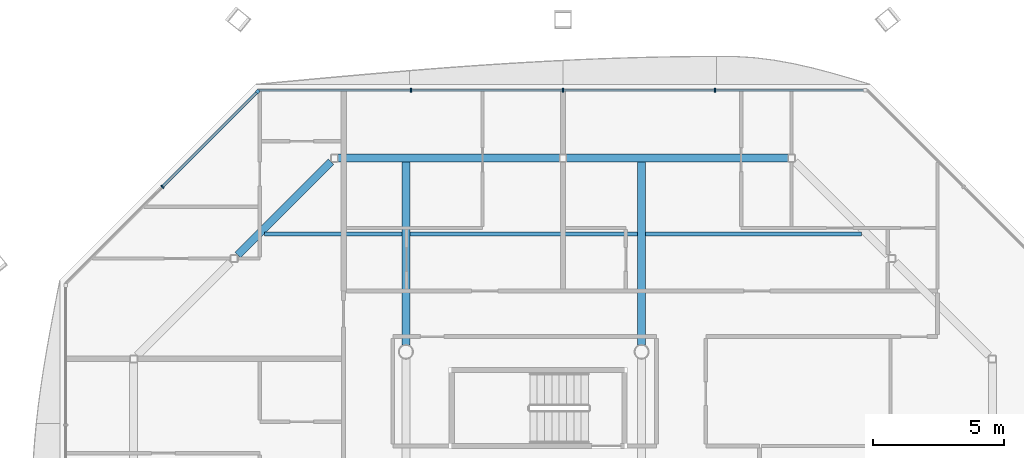
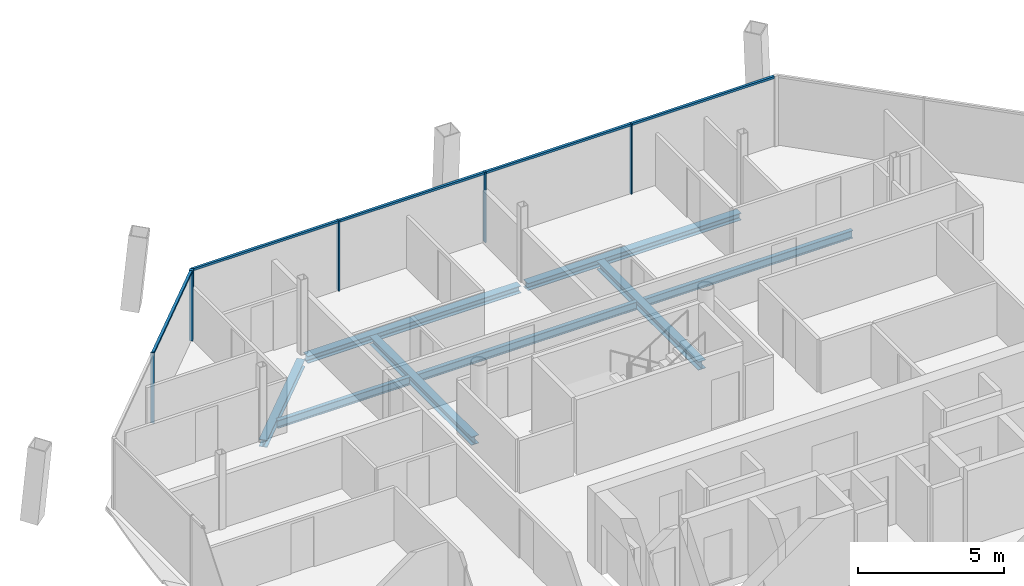
# One storey, part 9 of 18: 10 members, 8 beams, 2 elements without a shape of their own.
"""IFC4 building model written with IfcOpenShell, lengths in metres."""

from ifc_helpers import new_model, si_unit, direction, frame, origin, origin_2d, place, context, subcontext, project, spatial, rectangle, i_section, extrude, material, material_profile, profile_set, type_object, element, aggregate, save


model = new_model("IFC4")

# Units and contexts
model_context = context("Model", 3, precision=1e-05, world=origin(), true_north=direction((0.0, 1.0)))
body_context = subcontext(model_context, "Body", "Model", "MODEL_VIEW")
ifc_project = project(units=[si_unit("LENGTHUNIT", "METRE"), si_unit("AREAUNIT", "SQUARE_METRE"), si_unit("VOLUMEUNIT", "CUBIC_METRE"), si_unit("PLANEANGLEUNIT", "RADIAN"), si_unit("MASSUNIT", "GRAM", prefix="KILO")], contexts=[model_context])

# Site, building, storey
site_placement = place(None, origin())
site = spatial("IfcSite", under=ifc_project, at=site_placement, CompositionType="ELEMENT")
building_placement = place(site_placement, origin())
building = spatial("IfcBuilding", under=site, at=building_placement, Name="Tskaro Facet Tower", CompositionType="ELEMENT")
storey_placement = place(building_placement, frame((0.0, 0.0, 223.5)))
storey = spatial("IfcBuildingStorey", under=building, at=storey_placement, Name="L57", CompositionType="ELEMENT", Elevation=223.5)

# Curtain wall, member
ifc_material_1 = material(Name="Bronze anodised aluminium 6063-T6", Category="aluminium")
curtain_wall_type = type_object("IfcCurtainWallType", Name="Bronze residence curtain wall (FW3)", PredefinedType="NOTDEFINED", material=ifc_material_1)
curtain_wall_1_placement = place(storey_placement, origin())
curtain_wall_1 = element("IfcCurtainWall", 1, at=curtain_wall_1_placement, inside=storey, type_object=curtain_wall_type, Name="FW3 north-west facet L57", PredefinedType="NOTDEFINED")
ifc_material_profile_1 = material_profile(ifc_material_1, rectangle(XDim=0.139892578125, YDim=0.139892578125, at=origin_2d()), Name="Corner post 140x140")
ifc_profile_set_1 = profile_set([ifc_material_profile_1], Name="Bronze anodised aluminium 6063-T6")
member_type_1 = type_object("IfcMemberType", Name="FW3 bronze corner post 140x140", PredefinedType="MULLION", material=ifc_profile_set_1)
member_1_placement = place(storey_placement, frame((-14.658447265625, 18.935546875, 0.0), z_axis=(0.0, 0.0, 1.0), x_axis=(-0.707106781187, -0.707106781187, 0.0)))
member_1 = element("IfcMember", 2, at=member_1_placement, type_object=member_type_1, Name="FW3 north-west corner post", PredefinedType="MULLION", context=body_context, shape_type="SweptSolid", body=[
    extrude(rectangle(XDim=0.139892578125, YDim=0.139892578125, at=origin_2d()), origin(), (0.0, 0.0, 1.0), 2.949951171875),
])

# Curtain wall, members
curtain_wall_2_placement = place(storey_placement, origin())
curtain_wall_2 = element("IfcCurtainWall", 3, at=curtain_wall_2_placement, inside=storey, type_object=curtain_wall_type, Name="FW3 north facet L57", PredefinedType="NOTDEFINED")
ifc_material_profile_2 = material_profile(ifc_material_1, rectangle(XDim=0.050048828125, YDim=0.139892578125, at=origin_2d()), Name="Mullion 50x140")
ifc_profile_set_2 = profile_set([ifc_material_profile_2], Name="Bronze anodised aluminium 6063-T6")
member_type_2 = type_object("IfcMemberType", Name="FW3 bronze mullion 50x140", PredefinedType="MULLION", material=ifc_profile_set_2)
member_2_placement = place(storey_placement, frame((2.804443359375, 18.985107421875, 0.0), z_axis=(0.0, 0.0, 1.0), x_axis=(-1.0, 0.0, 0.0)))
member_2 = element("IfcMember", 4, at=member_2_placement, type_object=member_type_2, Name="FW3 north mullion 1", PredefinedType="MULLION", context=body_context, shape_type="SweptSolid", body=[
    extrude(rectangle(XDim=0.050048828125, YDim=0.139892578125, at=origin_2d()), origin(), (0.0, 0.0, 1.0), 2.949951171875),
])
member_3_placement = place(storey_placement, frame((-3.0, 18.985107421875, 0.0), z_axis=(0.0, 0.0, 1.0), x_axis=(-1.0, 0.0, 0.0)))
member_3 = element("IfcMember", 5, at=member_3_placement, type_object=member_type_2, Name="FW3 north mullion 2", PredefinedType="MULLION", context=body_context, shape_type="SweptSolid", body=[
    extrude(rectangle(XDim=0.050048828125, YDim=0.139892578125, at=origin_2d()), origin(), (0.0, 0.0, 1.0), 2.949951171875),
])
member_4_placement = place(storey_placement, frame((-8.804443359375, 18.985107421875, 0.0), z_axis=(0.0, 0.0, 1.0), x_axis=(-1.0, 0.0, 0.0)))
member_4 = element("IfcMember", 6, at=member_4_placement, type_object=member_type_2, Name="FW3 north mullion 3", PredefinedType="MULLION", context=body_context, shape_type="SweptSolid", body=[
    extrude(rectangle(XDim=0.050048828125, YDim=0.139892578125, at=origin_2d()), origin(), (0.0, 0.0, 1.0), 2.949951171875),
])

# Member
member_5_placement = place(storey_placement, frame((-18.297119140625, 15.297119140625, 0.0), z_axis=(0.0, 0.0, 1.0), x_axis=(-0.707106781187, -0.707106781187, 0.0)))
member_5 = element("IfcMember", 7, at=member_5_placement, type_object=member_type_2, Name="FW3 north-west mullion 1", PredefinedType="MULLION", context=body_context, shape_type="SweptSolid", body=[
    extrude(rectangle(XDim=0.050048828125, YDim=0.139892578125, at=origin_2d()), origin(), (0.0, 0.0, 1.0), 2.949951171875),
])

ifc_material_profile_3 = material_profile(ifc_material_1, rectangle(XDim=0.10009765625, YDim=0.090087890625, at=origin_2d()), Name="Transom 100x90")
ifc_profile_set_3 = profile_set([ifc_material_profile_3], Name="Bronze anodised aluminium 6063-T6")
member_type_3 = type_object("IfcMemberType", Name="FW3 bronze transom 100x90", PredefinedType="USERDEFINED", material=ifc_profile_set_3)
member_6_placement = place(storey_placement, frame((8.468994140625, 18.985107421875, 2.905029296875), z_axis=(-1.0, 0.0, 0.0), x_axis=(0.0, -1.0, 0.0)))
member_6 = element("IfcMember", 8, at=member_6_placement, type_object=member_type_3, Name="FW3 north transom 1.1", ObjectType="TRANSOM", PredefinedType="USERDEFINED", context=body_context, shape_type="SweptSolid", body=[
    extrude(rectangle(XDim=0.10009765625, YDim=0.090087890625, at=origin_2d()), origin(), (0.0, 0.0, 1.0), 5.639404296875),
])

member_7_placement = place(storey_placement, frame((2.779541015625, 18.985107421875, 2.905029296875), z_axis=(-1.0, 0.0, 0.0), x_axis=(0.0, -1.0, 0.0)))
member_7 = element("IfcMember", 9, at=member_7_placement, type_object=member_type_3, Name="FW3 north transom 2.1", ObjectType="TRANSOM", PredefinedType="USERDEFINED", context=body_context, shape_type="SweptSolid", body=[
    extrude(rectangle(XDim=0.10009765625, YDim=0.090087890625, at=origin_2d()), origin(), (0.0, 0.0, 1.0), 5.754638671875),
])

member_8_placement = place(storey_placement, frame((-3.02490234375, 18.985107421875, 2.905029296875), z_axis=(-1.0, 0.0, 0.0), x_axis=(0.0, -1.0, 0.0)))
member_8 = element("IfcMember", 10, at=member_8_placement, type_object=member_type_3, Name="FW3 north transom 3.1", ObjectType="TRANSOM", PredefinedType="USERDEFINED", context=body_context, shape_type="SweptSolid", body=[
    extrude(rectangle(XDim=0.10009765625, YDim=0.090087890625, at=origin_2d()), origin(), (0.0, 0.0, 1.0), 5.754638671875),
])

member_9_placement = place(storey_placement, frame((-8.82958984375, 18.985107421875, 2.905029296875), z_axis=(-1.0, 0.0, 0.0), x_axis=(0.0, -1.0, 0.0)))
member_9 = element("IfcMember", 11, at=member_9_placement, type_object=member_type_3, Name="FW3 north transom 4.1", ObjectType="TRANSOM", PredefinedType="USERDEFINED", context=body_context, shape_type="SweptSolid", body=[
    extrude(rectangle(XDim=0.10009765625, YDim=0.090087890625, at=origin_2d()), origin(), (0.0, 0.0, 1.0), 5.779296875),
])

aggregate(curtain_wall_2, [member_2, member_3, member_4, member_6, member_7, member_8, member_9])

member_10_placement = place(storey_placement, frame((-14.7080078125, 18.885986328125, 2.905029296875), z_axis=(-0.707106781187, -0.707106781187, 0.0), x_axis=(0.707106781187, -0.707106781187, 0.0)))
member_10 = element("IfcMember", 12, at=member_10_placement, type_object=member_type_3, Name="FW3 north-west transom 1.1", ObjectType="TRANSOM", PredefinedType="USERDEFINED", context=body_context, shape_type="SweptSolid", body=[
    extrude(rectangle(XDim=0.10009765625, YDim=0.090087890625, at=origin_2d()), origin(), (0.0, 0.0, 1.0), 5.050537109375),
])

aggregate(curtain_wall_1, [member_1, member_5, member_10])

# Beams
ifc_material_2 = material(Name="Steel S355J2", Category="steel")
ifc_material_profile_4 = material_profile(ifc_material_2, i_section(OverallWidth=0.300048828125, OverallDepth=0.300048828125, WebThickness=0.010986328125, FlangeThickness=0.01904296875, FilletRadius=0.027099609375, at=origin_2d()), Name="HE 300 B")
ifc_profile_set_4 = profile_set([ifc_material_profile_4], Name="Steel S355J2")
beam_type_1 = type_object("IfcBeamType", Name="HE 300 B ring beam", PredefinedType="BEAM", material=ifc_profile_set_4)
for number, where, z_axis, x_axis, name in (
    (13, (5.594970703125, 16.39111328125, -0.2900390625), (-1.0, 0.0, 0.0), (0.0, -1.0, 0.0), "HE 300 B EB10-5"),
    (14, (-3.1298828125, 16.39111328125, -0.2900390625), (-1.0, 0.0, 0.0), (0.0, -1.0, 0.0), "HE 300 B EB11-5"),
):
    element("IfcBeam", number, at=place(storey_placement, frame(where, z_axis=z_axis, x_axis=x_axis)), inside=storey, type_object=beam_type_1, Name=name, PredefinedType="BEAM", context=body_context, shape_type="SweptSolid", body=[
        extrude(i_section(OverallWidth=0.300048828125, OverallDepth=0.300048828125, WebThickness=0.010986328125, FlangeThickness=0.01904296875, FilletRadius=0.027099609375, at=origin_2d()), origin(), (0.0, 0.0, 1.0), 8.465087890625),
    ])
beam_1_placement = place(storey_placement, frame((-11.86083984375, 16.255126953125, -0.2900390625), z_axis=(-0.707106781187, -0.707106781187, 0.0), x_axis=(0.707106781187, -0.707106781187, 0.0)))
element("IfcBeam", 15, at=beam_1_placement, inside=storey, type_object=beam_type_1, Name="HE 300 B EB12-5", PredefinedType="BEAM", context=body_context, shape_type="SweptSolid", body=[
    extrude(i_section(OverallWidth=0.300048828125, OverallDepth=0.300048828125, WebThickness=0.010986328125, FlangeThickness=0.01904296875, FilletRadius=0.027099609375, at=origin_2d()), origin(), (0.0, 0.0, 1.0), 5.036376953125),
])
ifc_material_profile_5 = material_profile(ifc_material_2, i_section(OverallWidth=0.300048828125, OverallDepth=0.35009765625, WebThickness=0.010009765625, FlangeThickness=0.017578125, FilletRadius=0.027099609375, at=origin_2d()), Name="HE 360 A")
ifc_profile_set_5 = profile_set([ifc_material_profile_5], Name="Steel S355J2")
beam_type_2 = type_object("IfcBeamType", Name="HE 360 A girder", PredefinedType="BEAM", material=ifc_profile_set_5)
for number, where, z_axis, x_axis, name in (
    (16, (-9.0, 9.24951171875, -0.31494140625), (0.0, 1.0, 0.0), (-1.0, 0.0, 0.0), "HE 360 A GB3-3-5"),
    (17, (0.0, 9.24951171875, -0.31494140625), (0.0, 1.0, 0.0), (-1.0, 0.0, 0.0), "HE 360 A GB4-3-5"),
):
    element("IfcBeam", number, at=place(storey_placement, frame(where, z_axis=z_axis, x_axis=x_axis)), inside=storey, type_object=beam_type_2, Name=name, PredefinedType="BEAM", context=body_context, shape_type="SweptSolid", body=[
        extrude(i_section(OverallWidth=0.300048828125, OverallDepth=0.35009765625, WebThickness=0.010009765625, FlangeThickness=0.017578125, FilletRadius=0.027099609375, at=origin_2d()), origin(), (0.0, 0.0, 1.0), 6.991455078125),
    ])
ifc_material_profile_6 = material_profile(ifc_material_2, i_section(OverallWidth=0.159912109375, OverallDepth=0.330078125, WebThickness=0.007568359375, FlangeThickness=0.011474609375, FilletRadius=0.01806640625, at=origin_2d()), Name="IPE 330")
ifc_profile_set_6 = profile_set([ifc_material_profile_6], Name="Steel S355J2")
beam_type_3 = type_object("IfcBeamType", Name="IPE 330 secondary beam", PredefinedType="BEAM", material=ifc_profile_set_6)
beam_2_placement = place(storey_placement, frame((-14.404052734375, 13.5, -0.304931640625), z_axis=(1.0, 0.0, 0.0), x_axis=(0.0, 1.0, 0.0)))
element("IfcBeam", 18, at=beam_2_placement, inside=storey, type_object=beam_type_3, Name="IPE 330 SB5a-1-5", PredefinedType="BEAM", context=body_context, shape_type="SweptSolid", body=[
    extrude(i_section(OverallWidth=0.159912109375, OverallDepth=0.330078125, WebThickness=0.007568359375, FlangeThickness=0.011474609375, FilletRadius=0.01806640625, at=origin_2d()), origin(), (0.0, 0.0, 1.0), 5.254150390625),
])
beam_3_placement = place(storey_placement, frame((-8.85009765625, 13.5, -0.304931640625), z_axis=(1.0, 0.0, 0.0), x_axis=(0.0, 1.0, 0.0)))
element("IfcBeam", 19, at=beam_3_placement, inside=storey, type_object=beam_type_3, Name="IPE 330 SB5a-2-5", PredefinedType="BEAM", context=body_context, shape_type="SweptSolid", body=[
    extrude(i_section(OverallWidth=0.159912109375, OverallDepth=0.330078125, WebThickness=0.007568359375, FlangeThickness=0.011474609375, FilletRadius=0.01806640625, at=origin_2d()), origin(), (0.0, 0.0, 1.0), 8.7001953125),
])
beam_4_placement = place(storey_placement, frame((0.14990234375, 13.5, -0.304931640625), z_axis=(1.0, 0.0, 0.0), x_axis=(0.0, 1.0, 0.0)))
element("IfcBeam", 20, at=beam_4_placement, inside=storey, type_object=beam_type_3, Name="IPE 330 SB5a-3-5", PredefinedType="BEAM", context=body_context, shape_type="SweptSolid", body=[
    extrude(i_section(OverallWidth=0.159912109375, OverallDepth=0.330078125, WebThickness=0.007568359375, FlangeThickness=0.011474609375, FilletRadius=0.01806640625, at=origin_2d()), origin(), (0.0, 0.0, 1.0), 8.254150390625),
])

save(model, "model.ifc")
